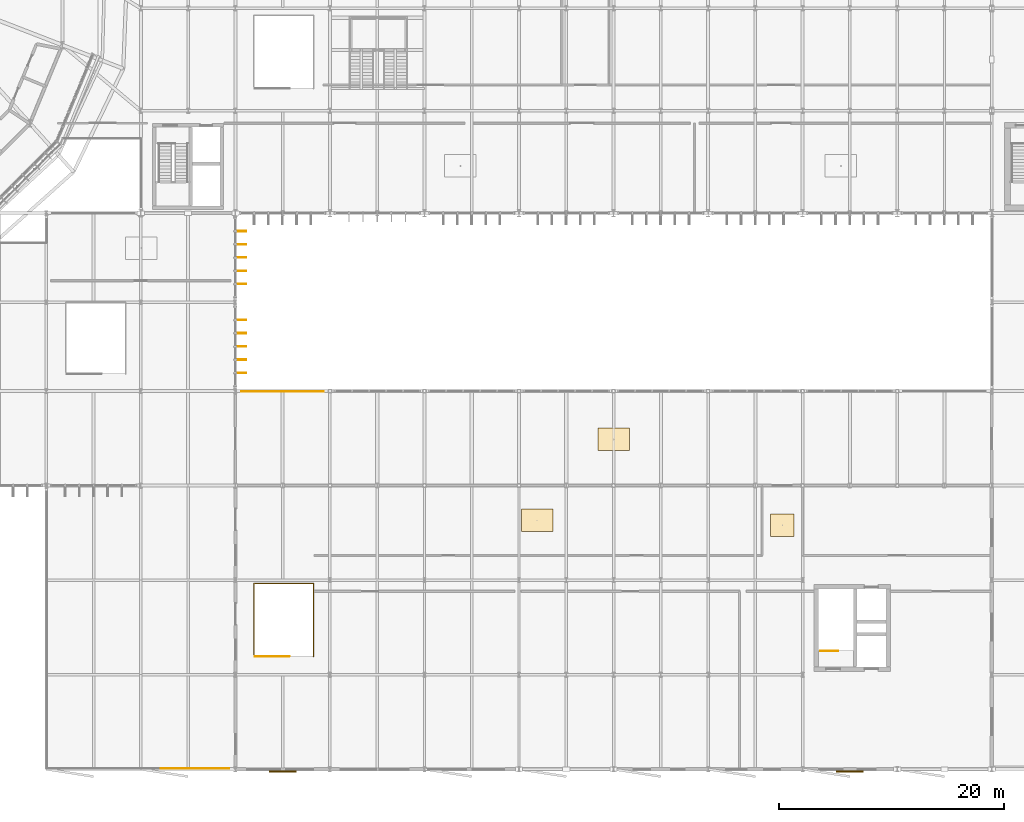
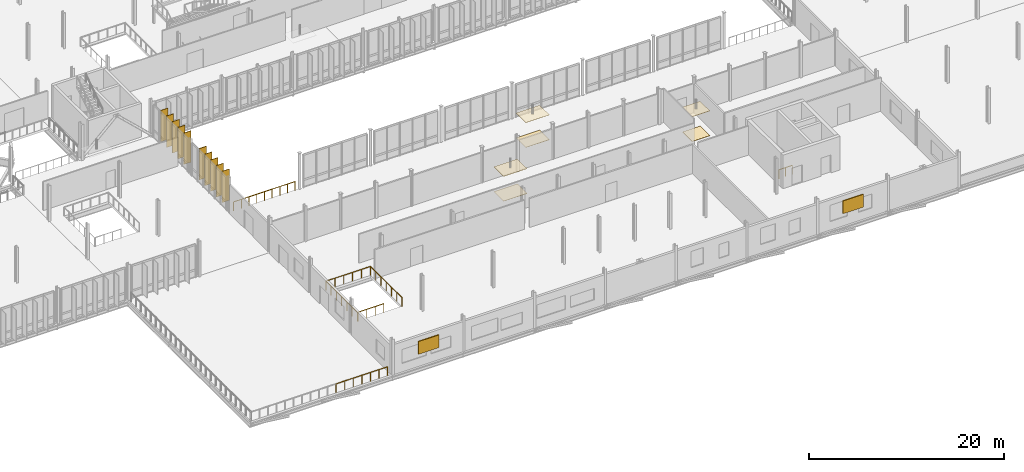
# One storey, part 129 of 139: 12 shading devices, 10 railings, 6 coverings.
"""IFC4 building model written with IfcOpenShell, lengths in metres."""

from ifc_helpers import new_model, si_unit, derived_unit, direction, frame, origin, origin_2d, place, context, subcontext, project, spatial, polyline, rectangle, circle, outline, extrude, material, layer, layer_set, type_object, element, save


model = new_model("IFC4")

# Units and contexts
model_context = context("Model", 3, precision=1e-05, world=origin(), true_north=direction((0.0, 1.0)))
body_context = subcontext(model_context, "Body", "Model", "MODEL_VIEW")
ifc_project = project(units=[si_unit("LENGTHUNIT", "METRE"), si_unit("AREAUNIT", "SQUARE_METRE"), si_unit("VOLUMEUNIT", "CUBIC_METRE"), si_unit("PLANEANGLEUNIT", "RADIAN"), si_unit("MASSUNIT", "GRAM", prefix="KILO"), derived_unit("THERMALTRANSMITTANCEUNIT", [(si_unit("MASSUNIT", "GRAM", prefix="KILO"), 1), (si_unit("TIMEUNIT", "SECOND"), -3), (si_unit("THERMODYNAMICTEMPERATUREUNIT", "KELVIN"), -1)])], contexts=[model_context])

# Site, building, storey
site_placement = place(None, origin())
site = spatial("IfcSite", under=ifc_project, at=site_placement, CompositionType="ELEMENT")
building_placement = place(site_placement, origin())
building = spatial("IfcBuilding", under=site, at=building_placement, Name="Makaiwela Harbour Ferry Terminal", CompositionType="ELEMENT")
storey_placement = place(building_placement, frame((0.0, 0.0, 5.10009765625)))
storey = spatial("IfcBuildingStorey", under=building, at=storey_placement, Name="L01", CompositionType="ELEMENT", Elevation=5.10009765625)

# Shading devices
ifc_material_1 = material(Name="Thermally modified Accoya timber and anodised aluminium", Category="wood")
ifc_layer_1 = layer(ifc_material_1, 0.06005859375)
ifc_layer_set_1 = layer_set([ifc_layer_1], Name="Thermally modified Accoya timber and anodised aluminium")
shading_device_type_1 = type_object("IfcShadingDeviceType", Name="ENV-FIN-850", PredefinedType="USERDEFINED", material=ifc_layer_set_1)
for number, where, z_axis, x_axis, name in (
    (1, (71.93798828125, 39.9033203125, 0.161865234375), (0.0, 0.0, 1.0), (1.0, 0.0, 0.0), "Vertical Solar Fin SFN-0383"),
    (2, (71.93798828125, 38.726806640625, 0.161865234375), (0.0, 0.0, 1.0), (1.0, 0.0, 0.0), "Vertical Solar Fin SFN-0384"),
    (3, (71.93798828125, 37.550048828125, 0.161865234375), (0.0, 0.0, 1.0), (1.0, 0.0, 0.0), "Vertical Solar Fin SFN-0385"),
    (4, (71.93798828125, 36.373291015625, 0.161865234375), (0.0, 0.0, 1.0), (1.0, 0.0, 0.0), "Vertical Solar Fin SFN-0386"),
    (5, (71.93798828125, 35.19677734375, 0.161865234375), (0.0, 0.0, 1.0), (1.0, 0.0, 0.0), "Vertical Solar Fin SFN-0387"),
    (6, (71.93798828125, 47.80322265625, 0.161865234375), (0.0, 0.0, 1.0), (1.0, 0.0, 0.0), "Vertical Solar Fin SFN-0398"),
    (7, (71.93798828125, 46.626708984375, 0.161865234375), (0.0, 0.0, 1.0), (1.0, 0.0, 0.0), "Vertical Solar Fin SFN-0399"),
    (8, (71.93798828125, 45.449951171875, 0.161865234375), (0.0, 0.0, 1.0), (1.0, 0.0, 0.0), "Vertical Solar Fin SFN-0400"),
    (9, (71.93798828125, 44.273193359375, 0.161865234375), (0.0, 0.0, 1.0), (1.0, 0.0, 0.0), "Vertical Solar Fin SFN-0401"),
    (10, (71.93798828125, 43.0966796875, 0.161865234375), (0.0, 0.0, 1.0), (1.0, 0.0, 0.0), "Vertical Solar Fin SFN-0402"),
):
    element("IfcShadingDevice", number, at=place(storey_placement, frame(where, z_axis=z_axis, x_axis=x_axis)), inside=storey, type_object=shading_device_type_1, Name=name, ObjectType="SOLAR FIN", PredefinedType="USERDEFINED", context=body_context, shape_type="SweptSolid", body=[
        extrude(rectangle(XDim=0.85009765625, YDim=0.06005859375, at=origin_2d()), origin(), (0.0, 0.0, 1.0), 3.93994140625),
    ])
ifc_material_2 = material(Name="Marine anodised aluminium 6063-T6", Category="aluminium")
ifc_layer_2 = layer(ifc_material_2, 0.1201171875)
ifc_layer_set_2 = layer_set([ifc_layer_2], Name="Marine anodised aluminium 6063-T6")
shading_device_type_2 = type_object("IfcShadingDeviceType", Name="ENV-LVR-STORM", PredefinedType="JALOUSIE", material=ifc_layer_set_2)
for number, where, z_axis, x_axis, name in (
    (11, (75.60009765625, -0.18994140625, 1.599853515625), (0.0, 0.0, 1.0), (-1.0, 0.0, 0.0), "Storm Louvre Bank LV-002"),
    (12, (126.0, -0.18994140625, 1.599853515625), (0.0, 0.0, 1.0), (-1.0, 0.0, 0.0), "Storm Louvre Bank LV-003"),
):
    element("IfcShadingDevice", number, at=place(storey_placement, frame(where, z_axis=z_axis, x_axis=x_axis)), inside=storey, type_object=shading_device_type_2, Name=name, PredefinedType="JALOUSIE", context=body_context, shape_type="SweptSolid", body=[
        extrude(rectangle(XDim=2.39990234375, YDim=0.1201171875, at=origin_2d()), origin(), (0.0, 0.0, 1.0), 1.60009765625),
    ])

# Coverings
ifc_material_3 = material(Name="Thermally modified Accoya timber acoustic slat ceiling", Category="wood")
ifc_layer_3 = layer(ifc_material_3, 0.0400390625)
ifc_layer_set_3 = layer_set([ifc_layer_3], Name="Thermally modified Accoya timber acoustic slat ceiling")
covering_type_1 = type_object("IfcCoveringType", Name="INT-COV-CEIL", PredefinedType="CEILING", material=ifc_layer_set_3)
covering_1_placement = place(storey_placement, frame((0.0, 0.0, 3.099853515625)))
element("IfcCovering", 13, at=covering_1_placement, inside=storey, type_object=covering_type_1, Name="Acoustic Timber Ceiling CLG-042", PredefinedType="CEILING", context=body_context, shape_type="SweptSolid", body=[
    extrude(outline(polyline([(103.60009765625, 28.300048828125), (106.39990234375, 28.300048828125), (106.39990234375, 30.300048828125), (103.60009765625, 30.300048828125), (103.60009765625, 28.300048828125)])), origin(), (0.0, 0.0, 1.0), 0.0400390625),
])
covering_2_placement = place(storey_placement, frame((0.0, 0.0, 3.099853515625)))
element("IfcCovering", 14, at=covering_2_placement, inside=storey, type_object=covering_type_1, Name="Acoustic Timber Ceiling CLG-043", PredefinedType="CEILING", context=body_context, shape_type="SweptSolid", body=[
    extrude(outline(polyline([(118.949951171875, 20.67578125), (121.050048828125, 20.67578125), (121.050048828125, 22.67578125), (118.949951171875, 22.67578125), (118.949951171875, 20.67578125)])), origin(), (0.0, 0.0, 1.0), 0.0400390625),
])
covering_3_placement = place(storey_placement, frame((0.0, 0.0, 3.099853515625)))
element("IfcCovering", 15, at=covering_3_placement, inside=storey, type_object=covering_type_1, Name="Acoustic Timber Ceiling CLG-044", PredefinedType="CEILING", context=body_context, shape_type="SweptSolid", body=[
    extrude(outline(polyline([(96.800048828125, 21.10009765625), (99.60009765625, 21.10009765625), (99.60009765625, 23.10009765625), (96.800048828125, 23.10009765625), (96.800048828125, 21.10009765625)])), origin(), (0.0, 0.0, 1.0), 0.0400390625),
])
ifc_material_4 = material(Name="Honed coral-aggregate epoxy terrazzo flooring", Category="concrete")
ifc_layer_4 = layer(ifc_material_4, 0.02490234375)
ifc_layer_set_4 = layer_set([ifc_layer_4], Name="Honed coral-aggregate epoxy terrazzo flooring")
covering_type_2 = type_object("IfcCoveringType", Name="INT-COV-FLR", PredefinedType="FLOORING", material=ifc_layer_set_4)
covering_4_placement = place(storey_placement, origin())
element("IfcCovering", 16, at=covering_4_placement, inside=storey, type_object=covering_type_2, Name="Terrazzo Flooring FLG-042", PredefinedType="FLOORING", context=body_context, shape_type="SweptSolid", body=[
    extrude(outline(polyline([(103.60009765625, 28.300048828125), (106.39990234375, 28.300048828125), (106.39990234375, 30.300048828125), (103.60009765625, 30.300048828125), (103.60009765625, 28.300048828125)])), origin(), (0.0, 0.0, 1.0), 0.02490234375),
])
covering_5_placement = place(storey_placement, origin())
element("IfcCovering", 17, at=covering_5_placement, inside=storey, type_object=covering_type_2, Name="Terrazzo Flooring FLG-043", PredefinedType="FLOORING", context=body_context, shape_type="SweptSolid", body=[
    extrude(outline(polyline([(118.949951171875, 20.67578125), (121.050048828125, 20.67578125), (121.050048828125, 22.67578125), (118.949951171875, 22.67578125), (118.949951171875, 20.67578125)])), origin(), (0.0, 0.0, 1.0), 0.02490234375),
])
covering_6_placement = place(storey_placement, origin())
element("IfcCovering", 18, at=covering_6_placement, inside=storey, type_object=covering_type_2, Name="Terrazzo Flooring FLG-044", PredefinedType="FLOORING", context=body_context, shape_type="SweptSolid", body=[
    extrude(outline(polyline([(96.800048828125, 21.10009765625), (99.60009765625, 21.10009765625), (99.60009765625, 23.10009765625), (96.800048828125, 23.10009765625), (96.800048828125, 21.10009765625)])), origin(), (0.0, 0.0, 1.0), 0.02490234375),
])

# Railings
ifc_material_5 = material(Name="Marine grade 316L brushed stainless steel", Category="steel")
railing_type = type_object("IfcRailingType", Name="INT-RL-GRD110", PredefinedType="GUARDRAIL", material=ifc_material_5)
railing_1_placement = place(storey_placement, frame((123.3701171875, 10.5, 0.0)))
element("IfcRailing", 19, at=railing_1_placement, inside=storey, type_object=railing_type, Name="Stair top well guardrail RL-0086", PredefinedType="GUARDRAIL", context=body_context, shape_type="SweptSolid", body=[
    extrude(circle(Radius=0.02392578125, at=origin_2d()), frame((0.0, 0.0, 1.09619140625), z_axis=(1.0, 0.0, 0.0), x_axis=(0.0, 1.0, 0.0)), (0.0, 0.0, 1.0), 1.587890625),
    extrude(circle(Radius=0.02099609375, at=origin_2d()), origin(), (0.0, 0.0, 1.0), 1.072021484375),
    extrude(circle(Radius=0.02099609375, at=origin_2d()), frame((0.7939453125, 0.0, 0.0)), (0.0, 0.0, 1.0), 1.072021484375),
    extrude(circle(Radius=0.02099609375, at=origin_2d()), frame((1.587890625, 0.0, 0.0)), (0.0, 0.0, 1.0), 1.072021484375),
])
railing_2_placement = place(storey_placement, frame((73.14990234375, 10.030029296875, 0.0)))
element("IfcRailing", 20, at=railing_2_placement, inside=storey, type_object=railing_type, Name="Stair top well guardrail RL-0090", PredefinedType="GUARDRAIL", context=body_context, shape_type="SweptSolid", body=[
    extrude(circle(Radius=0.02392578125, at=origin_2d()), frame((0.0, 0.0, 1.09619140625), z_axis=(1.0, 0.0, 0.0), x_axis=(0.0, 1.0, 0.0)), (0.0, 0.0, 1.0), 3.0400390625),
    extrude(circle(Radius=0.02099609375, at=origin_2d()), origin(), (0.0, 0.0, 1.0), 1.072021484375),
    extrude(circle(Radius=0.02099609375, at=origin_2d()), frame((1.013427734375, 0.0, 0.0)), (0.0, 0.0, 1.0), 1.072021484375),
    extrude(circle(Radius=0.02099609375, at=origin_2d()), frame((2.026611328125, 0.0, 0.0)), (0.0, 0.0, 1.0), 1.072021484375),
    extrude(circle(Radius=0.02099609375, at=origin_2d()), frame((3.0400390625, 0.0, 0.0)), (0.0, 0.0, 1.0), 1.072021484375),
])
railing_3_placement = place(storey_placement, frame((73.050048828125, 10.030029296875, 0.0)))
element("IfcRailing", 21, at=railing_3_placement, inside=storey, type_object=railing_type, Name="Stairwell perimeter guardrail RL-0092", PredefinedType="GUARDRAIL", context=body_context, shape_type="SweptSolid", body=[
    extrude(circle(Radius=0.02392578125, at=origin_2d()), frame((0.0, 0.0, 1.09619140625), z_axis=(0.0, 1.0, 0.0), x_axis=(-1.0, 0.0, 0.0)), (0.0, 0.0, 1.0), 6.469970703125),
    extrude(circle(Radius=0.02392578125, at=origin_2d()), frame((0.0, 6.469970703125, 1.09619140625), z_axis=(1.0, 0.0, 0.0), x_axis=(0.0, 1.0, 0.0)), (0.0, 0.0, 1.0), 5.300048828125),
    extrude(circle(Radius=0.02392578125, at=origin_2d()), frame((5.300048828125, 6.469970703125, 1.09619140625), z_axis=(0.0, -1.0, 0.0), x_axis=(1.0, 0.0, 0.0)), (0.0, 0.0, 1.0), 6.469970703125),
    extrude(circle(Radius=0.02099609375, at=origin_2d()), origin(), (0.0, 0.0, 1.0), 1.072021484375),
    extrude(circle(Radius=0.02099609375, at=origin_2d()), frame((0.0, 1.078369140625, 0.0)), (0.0, 0.0, 1.0), 1.072021484375),
    extrude(circle(Radius=0.02099609375, at=origin_2d()), frame((0.0, 2.15673828125, 0.0)), (0.0, 0.0, 1.0), 1.072021484375),
    extrude(circle(Radius=0.02099609375, at=origin_2d()), frame((0.0, 3.23486328125, 0.0)), (0.0, 0.0, 1.0), 1.072021484375),
    extrude(circle(Radius=0.02099609375, at=origin_2d()), frame((0.0, 4.313232421875, 0.0)), (0.0, 0.0, 1.0), 1.072021484375),
    extrude(circle(Radius=0.02099609375, at=origin_2d()), frame((0.0, 5.3916015625, 0.0)), (0.0, 0.0, 1.0), 1.072021484375),
    extrude(circle(Radius=0.02099609375, at=origin_2d()), frame((0.0, 6.469970703125, 0.0)), (0.0, 0.0, 1.0), 1.072021484375),
    extrude(circle(Radius=0.02099609375, at=origin_2d()), frame((1.06005859375, 6.469970703125, 0.0)), (0.0, 0.0, 1.0), 1.072021484375),
    extrude(circle(Radius=0.02099609375, at=origin_2d()), frame((2.1201171875, 6.469970703125, 0.0)), (0.0, 0.0, 1.0), 1.072021484375),
    extrude(circle(Radius=0.02099609375, at=origin_2d()), frame((3.179931640625, 6.469970703125, 0.0)), (0.0, 0.0, 1.0), 1.072021484375),
    extrude(circle(Radius=0.02099609375, at=origin_2d()), frame((4.239990234375, 6.469970703125, 0.0)), (0.0, 0.0, 1.0), 1.072021484375),
    extrude(circle(Radius=0.02099609375, at=origin_2d()), frame((5.300048828125, 6.469970703125, 0.0)), (0.0, 0.0, 1.0), 1.072021484375),
    extrude(circle(Radius=0.02099609375, at=origin_2d()), frame((5.300048828125, 5.3916015625, 0.0)), (0.0, 0.0, 1.0), 1.072021484375),
    extrude(circle(Radius=0.02099609375, at=origin_2d()), frame((5.300048828125, 4.313232421875, 0.0)), (0.0, 0.0, 1.0), 1.072021484375),
    extrude(circle(Radius=0.02099609375, at=origin_2d()), frame((5.300048828125, 3.23486328125, 0.0)), (0.0, 0.0, 1.0), 1.072021484375),
    extrude(circle(Radius=0.02099609375, at=origin_2d()), frame((5.300048828125, 2.15673828125, 0.0)), (0.0, 0.0, 1.0), 1.072021484375),
    extrude(circle(Radius=0.02099609375, at=origin_2d()), frame((5.300048828125, 1.078369140625, 0.0)), (0.0, 0.0, 1.0), 1.072021484375),
    extrude(circle(Radius=0.02099609375, at=origin_2d()), frame((5.300048828125, 0.0, 0.0)), (0.0, 0.0, 1.0), 1.072021484375),
])
railing_4_placement = place(storey_placement, frame((70.852294921875, 0.044921875, 0.0)))
element("IfcRailing", 22, at=railing_4_placement, inside=storey, type_object=railing_type, Name="Deck edge guardrail RL-0338", PredefinedType="GUARDRAIL", context=body_context, shape_type="SweptSolid", body=[
    extrude(circle(Radius=0.02392578125, at=origin_2d()), frame((0.0, 0.0, 1.09619140625), z_axis=(-1.0, 0.0, 0.0), x_axis=(0.0, -1.0, 0.0)), (0.0, 0.0, 1.0), 2.02587890625),
    extrude(circle(Radius=0.02099609375, at=origin_2d()), origin(), (0.0, 0.0, 1.0), 1.072021484375),
    extrude(circle(Radius=0.02099609375, at=origin_2d()), frame((-1.012939453125, 0.0, 0.0)), (0.0, 0.0, 1.0), 1.072021484375),
    extrude(circle(Radius=0.02099609375, at=origin_2d()), frame((-2.02587890625, 0.0, 0.0)), (0.0, 0.0, 1.0), 1.072021484375),
])
railing_5_placement = place(storey_placement, frame((68.826416015625, 0.044921875, 0.0)))
element("IfcRailing", 23, at=railing_5_placement, inside=storey, type_object=railing_type, Name="Deck edge guardrail RL-0339", PredefinedType="GUARDRAIL", context=body_context, shape_type="SweptSolid", body=[
    extrude(circle(Radius=0.02392578125, at=origin_2d()), frame((0.0, 0.0, 1.09619140625), z_axis=(-1.0, 0.0, 0.0), x_axis=(0.0, -1.0, 0.0)), (0.0, 0.0, 1.0), 2.026123046875),
    extrude(circle(Radius=0.02099609375, at=origin_2d()), origin(), (0.0, 0.0, 1.0), 1.072021484375),
    extrude(circle(Radius=0.02099609375, at=origin_2d()), frame((-1.01318359375, 0.0, 0.0)), (0.0, 0.0, 1.0), 1.072021484375),
    extrude(circle(Radius=0.02099609375, at=origin_2d()), frame((-2.026123046875, 0.0, 0.0)), (0.0, 0.0, 1.0), 1.072021484375),
])
railing_6_placement = place(storey_placement, frame((66.80029296875, 0.044921875, 0.0)))
element("IfcRailing", 24, at=railing_6_placement, inside=storey, type_object=railing_type, Name="Deck edge guardrail RL-0340", PredefinedType="GUARDRAIL", context=body_context, shape_type="SweptSolid", body=[
    extrude(circle(Radius=0.02392578125, at=origin_2d()), frame((0.0, 0.0, 1.09619140625), z_axis=(-1.0, 0.0, 0.0), x_axis=(0.0, -1.0, 0.0)), (0.0, 0.0, 1.0), 2.02587890625),
    extrude(circle(Radius=0.02099609375, at=origin_2d()), origin(), (0.0, 0.0, 1.0), 1.072021484375),
    extrude(circle(Radius=0.02099609375, at=origin_2d()), frame((-1.012939453125, 0.0, 0.0)), (0.0, 0.0, 1.0), 1.072021484375),
    extrude(circle(Radius=0.02099609375, at=origin_2d()), frame((-2.02587890625, 0.0, 0.0)), (0.0, 0.0, 1.0), 1.072021484375),
])
for number, where, name in (
    (25, (71.94775390625, 33.554931640625, 0.0), "Deck edge guardrail RL-0382"),
    (26, (73.77392578125, 33.554931640625, 0.0), "Deck edge guardrail RL-0383"),
):
    element("IfcRailing", number, at=place(storey_placement, frame(where)), inside=storey, type_object=railing_type, Name=name, PredefinedType="GUARDRAIL", context=body_context, shape_type="SweptSolid", body=[
        extrude(circle(Radius=0.02392578125, at=origin_2d()), frame((0.0, 0.0, 1.09619140625), z_axis=(1.0, 0.0, 0.0), x_axis=(0.0, 1.0, 0.0)), (0.0, 0.0, 1.0), 1.826171875),
        extrude(circle(Radius=0.02099609375, at=origin_2d()), origin(), (0.0, 0.0, 1.0), 1.072021484375),
        extrude(circle(Radius=0.02099609375, at=origin_2d()), frame((0.9130859375, 0.0, 0.0)), (0.0, 0.0, 1.0), 1.072021484375),
        extrude(circle(Radius=0.02099609375, at=origin_2d()), frame((1.826171875, 0.0, 0.0)), (0.0, 0.0, 1.0), 1.072021484375),
    ])
railing_7_placement = place(storey_placement, frame((75.60009765625, 33.554931640625, 0.0)))
element("IfcRailing", 27, at=railing_7_placement, inside=storey, type_object=railing_type, Name="Deck edge guardrail RL-0384", PredefinedType="GUARDRAIL", context=body_context, shape_type="SweptSolid", body=[
    extrude(circle(Radius=0.02392578125, at=origin_2d()), frame((0.0, 0.0, 1.09619140625), z_axis=(1.0, 0.0, 0.0), x_axis=(0.0, 1.0, 0.0)), (0.0, 0.0, 1.0), 1.825927734375),
    extrude(circle(Radius=0.02099609375, at=origin_2d()), origin(), (0.0, 0.0, 1.0), 1.072021484375),
    extrude(circle(Radius=0.02099609375, at=origin_2d()), frame((0.9130859375, 0.0, 0.0)), (0.0, 0.0, 1.0), 1.072021484375),
    extrude(circle(Radius=0.02099609375, at=origin_2d()), frame((1.825927734375, 0.0, 0.0)), (0.0, 0.0, 1.0), 1.072021484375),
])
railing_8_placement = place(storey_placement, frame((77.426025390625, 33.554931640625, 0.0)))
element("IfcRailing", 28, at=railing_8_placement, inside=storey, type_object=railing_type, Name="Deck edge guardrail RL-0385", PredefinedType="GUARDRAIL", context=body_context, shape_type="SweptSolid", body=[
    extrude(circle(Radius=0.02392578125, at=origin_2d()), frame((0.0, 0.0, 1.09619140625), z_axis=(1.0, 0.0, 0.0), x_axis=(0.0, 1.0, 0.0)), (0.0, 0.0, 1.0), 1.826171875),
    extrude(circle(Radius=0.02099609375, at=origin_2d()), origin(), (0.0, 0.0, 1.0), 1.072021484375),
    extrude(circle(Radius=0.02099609375, at=origin_2d()), frame((0.9130859375, 0.0, 0.0)), (0.0, 0.0, 1.0), 1.072021484375),
    extrude(circle(Radius=0.02099609375, at=origin_2d()), frame((1.826171875, 0.0, 0.0)), (0.0, 0.0, 1.0), 1.072021484375),
])

save(model, "model.ifc")
